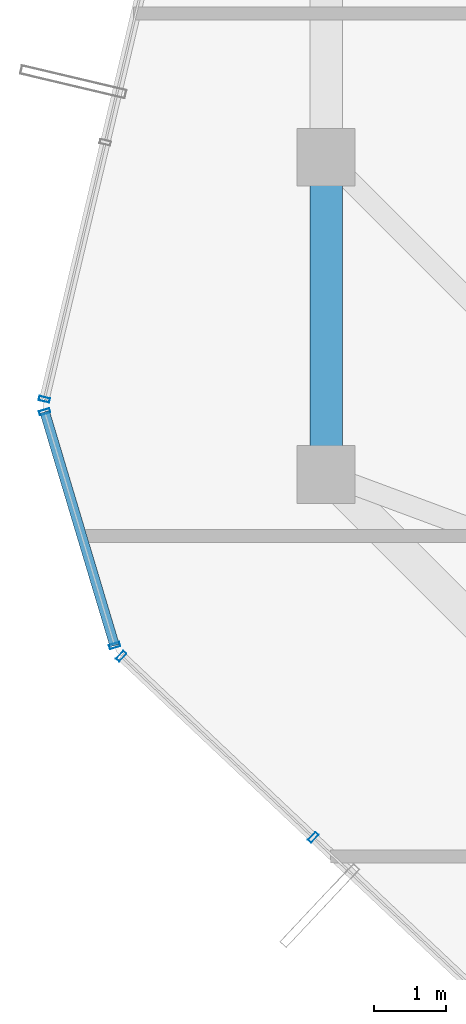
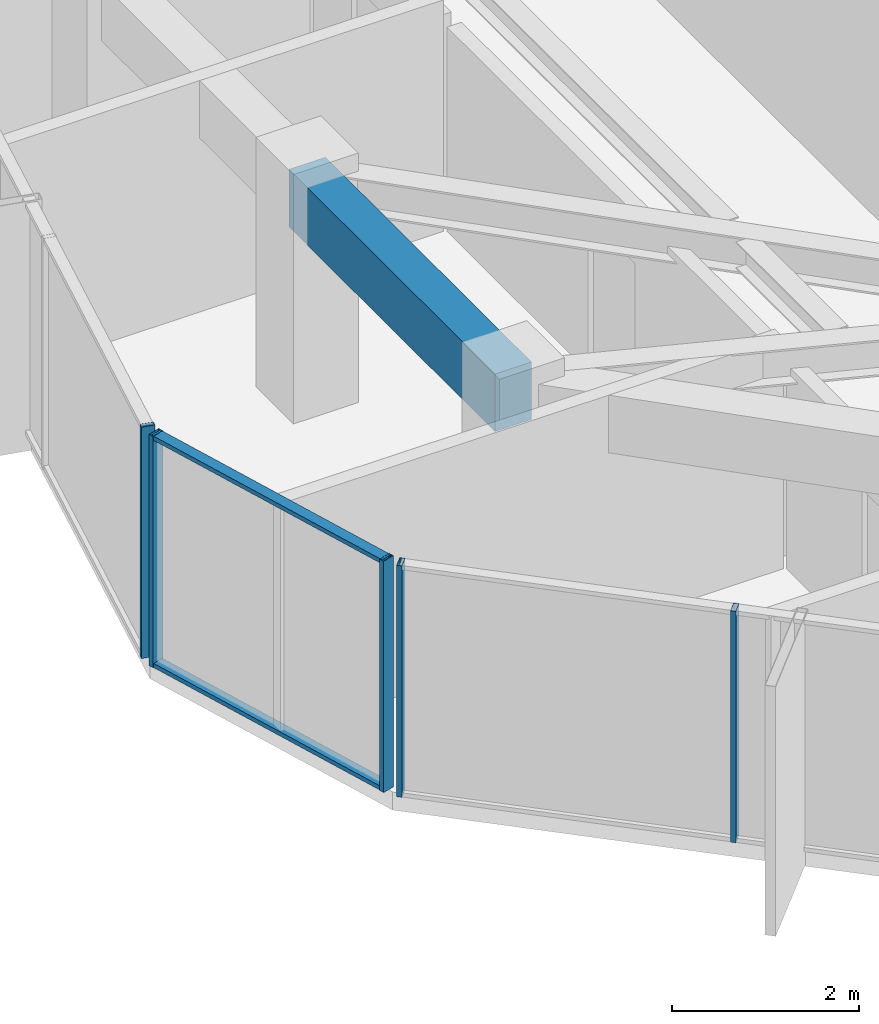
# One storey, part 5 of 28: 7 members, 1 beam, 3 elements without a shape of their own.
"""IFC4 building model written with IfcOpenShell, lengths in metres."""

import ifcopenshell
import ifcopenshell.guid

model = None  # the IFC model being written
_history = None  # IfcOwnerHistory: only IFC2X3 demands one
_inside = {}  # id of a spatial element -> (the spatial element, [elements in it])
_under = {}  # id of a project, library or spatial element -> (it, [spatial elements below it])
_declared = {}  # id of a project -> (the project, [libraries it declares])
_typed = {}  # id of a type object -> (the type object, [elements of that type])
_made_of = {}  # id of a material, layer set ... -> (it, [elements and type objects made of it])


def new_model(schema):
    """Start an empty IFC model of exactly this schema.

    Asked for "IFC4X3", IfcOpenShell would pick the latest addendum, in which some entities
    have other attributes; the version numbers below select the first issue.
    IFC2X3 requires an IfcOwnerHistory on every rooted entity: one is made here for all.
    """
    global model, _history
    if schema == "IFC4X3":
        model = ifcopenshell.file(schema_version=(4, 3, 0, 0))
    else:
        model = ifcopenshell.file(schema=schema)
    _inside.clear()
    _under.clear()
    _declared.clear()
    _typed.clear()
    _made_of.clear()
    _history = None
    if model.schema == "IFC2X3":
        org = make("IfcOrganization", Name="unknown")
        user = make(
            "IfcPersonAndOrganization",
            ThePerson=make("IfcPerson", FamilyName="unknown"),
            TheOrganization=org,
        )
        app = make(
            "IfcApplication",
            ApplicationDeveloper=org,
            Version="unknown",
            ApplicationFullName="unknown",
            ApplicationIdentifier="unknown",
        )
        _history = make(
            "IfcOwnerHistory",
            OwningUser=user,
            OwningApplication=app,
            ChangeAction="ADDED",
            CreationDate=0,
        )
    return model


def make(cls, **values):
    """One entity of the class cls with the attributes given. An attribute that is None is left unset."""
    return model.create_entity(
        cls, **{name: value for name, value in values.items() if value is not None}
    )


def rooted(cls, **values):
    """An entity with a GlobalId (a new one), such as an element, a storey or a relation."""
    return make(cls, GlobalId=ifcopenshell.guid.new(), OwnerHistory=_history, **values)


def si_unit(unit_type, name, prefix=None):
    """IfcSIUnit, for example si_unit("LENGTHUNIT", "METRE", prefix="MILLI")."""
    return make("IfcSIUnit", UnitType=unit_type, Prefix=prefix, Name=name)


def assignment(units):
    """IfcUnitAssignment: the units of a project."""
    return None if units is None else make("IfcUnitAssignment", Units=units)


def point(xyz):
    """IfcCartesianPoint."""
    return None if xyz is None else make("IfcCartesianPoint", Coordinates=xyz)


def direction(xyz):
    """IfcDirection."""
    return None if xyz is None else make("IfcDirection", DirectionRatios=xyz)


def frame(location, z_axis=None, x_axis=None):
    """IfcAxis2Placement3D, a coordinate frame: its origin and axes. An axis left out is left unset."""
    return make(
        "IfcAxis2Placement3D",
        Location=point(location),
        Axis=direction(z_axis),
        RefDirection=direction(x_axis),
    )


def frame_2d(location, x_axis=None):
    """IfcAxis2Placement2D, a coordinate frame in the plane: its origin and x axis."""
    return make(
        "IfcAxis2Placement2D", Location=point(location), RefDirection=direction(x_axis)
    )


def origin():
    """The frame at (0, 0, 0) with its axes left unset."""
    return frame((0.0, 0.0, 0.0))


def origin_2d():
    """The frame at (0, 0) in the plane with its x axis left unset."""
    return frame_2d((0.0, 0.0))


def place(relative_to, where):
    """IfcLocalPlacement: puts the frame where relative to a parent placement (None: the world)."""
    return make(
        "IfcLocalPlacement", PlacementRelTo=relative_to, RelativePlacement=where
    )


def context(
    kind, dimensions, precision=None, world=None, true_north=None, identifier=None
):
    """IfcGeometricRepresentationContext, for example the 3D "Model" context."""
    return make(
        "IfcGeometricRepresentationContext",
        ContextIdentifier=identifier,
        ContextType=kind,
        CoordinateSpaceDimension=dimensions,
        Precision=precision,
        WorldCoordinateSystem=world,
        TrueNorth=true_north,
    )


def subcontext(parent, identifier, kind, view, scale=None):
    """IfcGeometricRepresentationSubContext, for example "Body" below "Model"."""
    return make(
        "IfcGeometricRepresentationSubContext",
        ContextIdentifier=identifier,
        ContextType=kind,
        ParentContext=parent,
        TargetScale=scale,
        TargetView=view,
    )


def project(units=None, contexts=None):
    """IfcProject with its units and contexts."""
    return rooted(
        "IfcProject",
        Name="project",
        RepresentationContexts=contexts,
        UnitsInContext=assignment(units),
    )


def spatial(cls, under=None, at=None, **own):
    """A site, building, storey or space (cls), placed at a placement, below another one or the project."""
    s = rooted(cls, ObjectPlacement=at, **own)
    if under is not None:
        _under.setdefault(under.id(), (under, []))[1].append(s)
    return s


def profile(cls, at=None, kind="AREA", **sizes):
    """A parametric profile (cls). Its sizes go by their IFC names, for example OverallWidth=200.0."""
    return make(cls, ProfileType=kind, Position=at, **sizes)


def rectangle(**sizes):
    """IfcRectangleProfileDef."""
    return profile("IfcRectangleProfileDef", **sizes)


def hollow_rectangle(**sizes):
    """IfcRectangleHollowProfileDef."""
    return profile("IfcRectangleHollowProfileDef", **sizes)


def extrude(swept, where, along, depth):
    """IfcExtrudedAreaSolid: the profile swept, set in the frame where, extruded along a direction by depth."""
    return make(
        "IfcExtrudedAreaSolid",
        SweptArea=swept,
        Position=where,
        ExtrudedDirection=direction(along),
        Depth=depth,
    )


def shape(context_of_items, identifier, shape_type, items):
    """IfcShapeRepresentation: the items that make up one representation, for example the "Body"."""
    return make(
        "IfcShapeRepresentation",
        ContextOfItems=context_of_items,
        RepresentationIdentifier=identifier,
        RepresentationType=shape_type,
        Items=items,
    )


def source(mapping_origin, context_of_items, identifier, shape_type, items):
    """IfcRepresentationMap: a shape defined once, which mapped items show again and again."""
    return make(
        "IfcRepresentationMap",
        MappingOrigin=mapping_origin,
        MappedRepresentation=shape(context_of_items, identifier, shape_type, items),
    )


def transform(
    local_origin,
    x_axis=None,
    y_axis=None,
    z_axis=None,
    scale=None,
    scale2=None,
    scale3=None,
    uniform=True,
):
    """IfcCartesianTransformationOperator3D, or its non-uniform kind. x_axis, y_axis, z_axis: its Axis1, 2, 3."""
    if uniform:
        return make(
            "IfcCartesianTransformationOperator3D",
            Axis1=direction(x_axis),
            Axis2=direction(y_axis),
            LocalOrigin=point(local_origin),
            Scale=scale,
            Axis3=direction(z_axis),
        )
    return make(
        "IfcCartesianTransformationOperator3DnonUniform",
        Axis1=direction(x_axis),
        Axis2=direction(y_axis),
        LocalOrigin=point(local_origin),
        Scale=scale,
        Axis3=direction(z_axis),
        Scale2=scale2,
        Scale3=scale3,
    )


def mapped(mapping_source, mapping_target):
    """IfcMappedItem: shows the shape of a source again, moved by a transform."""
    return make(
        "IfcMappedItem", MappingSource=mapping_source, MappingTarget=mapping_target
    )


def material(Name=None, Category=None):
    """IfcMaterial."""
    return make("IfcMaterial", Name=Name, Category=Category)


def layer(
    of_material, thickness, ventilated=None, Name=None, Category=None, Priority=None
):
    """IfcMaterialLayer: one layer of a wall or slab, of a material (None: an air gap)."""
    return make(
        "IfcMaterialLayer",
        Material=of_material,
        LayerThickness=thickness,
        IsVentilated=ventilated,
        Name=Name,
        Category=Category,
        Priority=Priority,
    )


def layer_set(layers, Name=None):
    """IfcMaterialLayerSet."""
    return make("IfcMaterialLayerSet", MaterialLayers=layers, LayerSetName=Name)


def material_profile(
    of_material, cross_section, Name=None, Category=None, Priority=None
):
    """IfcMaterialProfile: a cross section and its material."""
    return make(
        "IfcMaterialProfile",
        Name=Name,
        Material=of_material,
        Profile=cross_section,
        Priority=Priority,
        Category=Category,
    )


def profile_set(profiles, Name=None, composite=None):
    """IfcMaterialProfileSet."""
    return make(
        "IfcMaterialProfileSet",
        Name=Name,
        MaterialProfiles=profiles,
        CompositeProfile=composite,
    )


def made_of(thing, what):
    """Note that an element or type object is made of a material, layer set ...; save() writes the relation."""
    if what is not None:
        _made_of.setdefault(what.id(), (what, []))[1].append(thing)
    return thing


def type_object(cls, material=None, **own):
    """A type object (cls), such as IfcWallType, which elements share."""
    return made_of(rooted(cls, **own), material)


def element(
    cls,
    number,
    at=None,
    inside=None,
    cuts=None,
    type_object=None,
    material=None,
    context=None,
    identifier="Body",
    shape_type=None,
    held_by="IfcProductDefinitionShape",
    body=None,
    shapes=None,
    **own,
):
    """One element of the class cls, such as IfcWall. Its Tag is "e" and its number.

    at: its placement. inside: the storey or other place that contains it. cuts: it is an
    opening in that element (IfcRelVoidsElement). A single representation is given by context,
    identifier, shape_type and body (its items); several are given by shapes. held_by: the class
    of the entity that holds the representations. save() writes the other relations.
    """
    e = rooted(cls, Tag="e%d" % number, ObjectPlacement=at, **own)
    if body is not None:
        shapes = [shape(context, identifier, shape_type, body)]
    if shapes is not None:
        e.Representation = make(held_by, Representations=shapes)
    if inside is not None:
        _inside.setdefault(inside.id(), (inside, []))[1].append(e)
    if cuts is not None:
        rooted(
            "IfcRelVoidsElement", RelatingBuildingElement=cuts, RelatedOpeningElement=e
        )
    if type_object is not None:
        _typed.setdefault(type_object.id(), (type_object, []))[1].append(e)
    return made_of(e, material)


def aggregate(whole, parts):
    """IfcRelAggregates: a whole, such as a stair, and the parts it consists of."""
    return rooted("IfcRelAggregates", RelatingObject=whole, RelatedObjects=parts)


def save(model, path):
    """Write the relations noted so far, then the file.

    IfcRelAggregates (storeys below a building ...), IfcRelContainedInSpatialStructure (elements
    in a storey), IfcRelDefinesByType, IfcRelAssociatesMaterial and IfcRelDeclares: one each for
    every whole, place, type object, material and project.
    """
    for whole, parts in _under.values():
        aggregate(whole, parts)
    for where, things in _inside.values():
        rooted(
            "IfcRelContainedInSpatialStructure",
            RelatedElements=things,
            RelatingStructure=where,
        )
    for kind, things in _typed.values():
        rooted("IfcRelDefinesByType", RelatedObjects=things, RelatingType=kind)
    for what, things in _made_of.values():
        rooted("IfcRelAssociatesMaterial", RelatedObjects=things, RelatingMaterial=what)
    for by, libraries in _declared.values():
        rooted("IfcRelDeclares", RelatingContext=by, RelatedDefinitions=libraries)
    model.write(path)


model = new_model("IFC4")

# Units and contexts
model_context = context("Model", 3, precision=1e-05, world=origin(), true_north=direction((0.0, 1.0)))
body_context = subcontext(model_context, "Body", "Model", "MODEL_VIEW")
ifc_project = project(units=[si_unit("LENGTHUNIT", "METRE"), si_unit("AREAUNIT", "SQUARE_METRE"), si_unit("VOLUMEUNIT", "CUBIC_METRE"), si_unit("PLANEANGLEUNIT", "RADIAN"), si_unit("MASSUNIT", "GRAM", prefix="KILO")], contexts=[model_context])

# Site, building, storey
site_placement = place(None, origin())
site = spatial("IfcSite", under=ifc_project, at=site_placement, CompositionType="ELEMENT")
building_placement = place(site_placement, origin())
building = spatial("IfcBuilding", under=site, at=building_placement, Name="Veraguas Prism Commons", CompositionType="ELEMENT")
storey_placement = place(building_placement, frame((0.0, 0.0, 254.5)))
storey = spatial("IfcBuildingStorey", under=building, at=storey_placement, Name="L72", CompositionType="ELEMENT", Elevation=254.5)

# Beam
ifc_material_1 = material(Name="Concrete C50/60", Category="concrete")
ifc_material_profile_1 = material_profile(ifc_material_1, rectangle(XDim=0.449951171875, YDim=0.75, at=origin_2d()), Name="RC450X750")
ifc_profile_set_1 = profile_set([ifc_material_profile_1], Name="Concrete C50/60")
beam_type = type_object("IfcBeamType", Name="Perimeter Spandrel Upper RC 450x750", PredefinedType="SPANDREL", material=ifc_profile_set_1)
beam_placement = place(storey_placement, frame((10.199951171875, 24.0, 2.639892578125), z_axis=(0.0, -1.0, 0.0), x_axis=(1.0, 0.0, 0.0)))
element("IfcBeam", 1, at=beam_placement, inside=storey, type_object=beam_type, Name="Perimeter Spandrel Beam L72-SP08", PredefinedType="SPANDREL", context=body_context, shape_type="SweptSolid", body=[
    extrude(rectangle(XDim=0.449951171875, YDim=0.75, at=origin_2d()), origin(), (0.0, 0.0, 1.0), 4.39990234375),
])

# Curtain wall, member
ifc_material_2 = material(Name="Anodised aluminium EN AW-6063 T6", Category="aluminium")
ifc_layer = layer(ifc_material_2, 0.14990234375, Name="Unitised Flush Curtain Wall Zone 4", Category="aluminium")
ifc_layer_set = layer_set([ifc_layer], Name="Anodised aluminium EN AW-6063 T6")
curtain_wall_type = type_object("IfcCurtainWallType", Name="Unitised Flush Curtain Wall Zone 4", PredefinedType="NOTDEFINED", material=ifc_layer_set)
curtain_wall_1_placement = place(storey_placement, origin())
curtain_wall_1 = element("IfcCurtainWall", 2, at=curtain_wall_1_placement, inside=storey, type_object=curtain_wall_type, Name="Tower Facade Curtain Wall L72-F3", PredefinedType="NOTDEFINED")
ifc_material_profile_2 = material_profile(ifc_material_2, hollow_rectangle(XDim=0.06005859375, YDim=0.14990234375, WallThickness=0.0029296875, at=origin_2d()), Name="AL60X150X3")
ifc_profile_set_2 = profile_set([ifc_material_profile_2], Name="Anodised aluminium EN AW-6063 T6")
member_type_1 = type_object("IfcMemberType", Name="Curtain Wall Mullion Upper AL 60x150x3", PredefinedType="MULLION", material=ifc_profile_set_2)
shared_shape_1 = source(origin(), body_context, "Body", "SweptSolid", [
    extrude(hollow_rectangle(XDim=0.06005859375, YDim=0.14990234375, WallThickness=0.0029296875, at=origin_2d()), origin(), (0.0, 0.0, 1.0), 3.014892578125),
])
member_1_placement = place(storey_placement, frame((6.292724609375, 20.641845703125, 0.0), z_axis=(0.0, 0.0, 1.0), x_axis=(-0.230740975733, -0.973015211658, 0.0)))
member_1 = element("IfcMember", 3, at=member_1_placement, type_object=member_type_1, Name="CW-Z4 Mullion 5", PredefinedType="MULLION", context=body_context, shape_type="MappedRepresentation", body=[
    mapped(shared_shape_1, transform((0.0, 0.0, 0.0), scale=1.0)),
])
aggregate(curtain_wall_1, [member_1])

# Curtain wall, members
curtain_wall_2_placement = place(storey_placement, origin())
curtain_wall_2 = element("IfcCurtainWall", 4, at=curtain_wall_2_placement, inside=storey, type_object=curtain_wall_type, Name="Tower Facade Curtain Wall L72-F4", PredefinedType="NOTDEFINED")
member_2_placement = place(storey_placement, frame((7.35888671875, 17.079345703125, 0.0), z_axis=(0.0, 0.0, 1.0), x_axis=(0.727296184535, -0.686323728251, 0.0)))
member_2 = element("IfcMember", 5, at=member_2_placement, type_object=member_type_1, Name="CW-Z4 Mullion 1", PredefinedType="MULLION", context=body_context, shape_type="MappedRepresentation", body=[
    mapped(shared_shape_1, transform((0.0, 0.0, 0.0), scale=1.0)),
])
member_3_placement = place(storey_placement, frame((10.02197265625, 14.56640625, 0.0), z_axis=(0.0, 0.0, 1.0), x_axis=(0.727296184535, -0.686323728251, 0.0)))
member_3 = element("IfcMember", 6, at=member_3_placement, type_object=member_type_1, Name="CW-Z4 Mullion 2", PredefinedType="MULLION", context=body_context, shape_type="MappedRepresentation", body=[
    mapped(shared_shape_1, transform((0.0, 0.0, 0.0), scale=1.0)),
])
aggregate(curtain_wall_2, [member_2, member_3])

curtain_wall_3_placement = place(storey_placement, origin())
curtain_wall_3 = element("IfcCurtainWall", 7, at=curtain_wall_3_placement, inside=storey, type_object=curtain_wall_type, Name="Chamfer Curtain Wall L72-C4", PredefinedType="NOTDEFINED")
member_4_placement = place(storey_placement, frame((6.2978515625, 20.468017578125, 0.0), z_axis=(0.0, 0.0, 1.0), x_axis=(0.286708484238, -0.958017873041, 0.0)))
member_4 = element("IfcMember", 8, at=member_4_placement, type_object=member_type_1, Name="CW-Z4 Mullion 1", PredefinedType="MULLION", context=body_context, shape_type="MappedRepresentation", body=[
    mapped(shared_shape_1, transform((0.0, 0.0, 0.0), scale=1.0)),
])
member_5_placement = place(storey_placement, frame((7.267578125, 17.2275390625, 0.0), z_axis=(0.0, 0.0, 1.0), x_axis=(0.286708484238, -0.958017873041, 0.0)))
member_5 = element("IfcMember", 9, at=member_5_placement, type_object=member_type_1, Name="CW-Z4 Mullion 2", PredefinedType="MULLION", context=body_context, shape_type="MappedRepresentation", body=[
    mapped(shared_shape_1, transform((0.0, 0.0, 0.0), scale=1.0)),
])
ifc_material_profile_3 = material_profile(ifc_material_2, hollow_rectangle(XDim=0.054931640625, YDim=0.135009765625, WallThickness=0.0029296875, at=origin_2d()), Name="AL55X135X3")
ifc_profile_set_3 = profile_set([ifc_material_profile_3], Name="Anodised aluminium EN AW-6063 T6")
member_type_2 = type_object("IfcMemberType", Name="Curtain Wall Transom Standard AL 55x135x3", PredefinedType="USERDEFINED", material=ifc_profile_set_3)
shared_shape_2 = source(origin(), body_context, "Body", "SweptSolid", [
    extrude(hollow_rectangle(XDim=0.054931640625, YDim=0.135009765625, WallThickness=0.0029296875, at=origin_2d()), origin(), (0.0, 0.0, 1.0), 3.382568359375),
])
member_6_placement = place(storey_placement, frame((6.2978515625, 20.468017578125, 0.027587890625), z_axis=(0.286692253781, -0.958022730222, 0.0), x_axis=(0.0, 0.0, 1.0)))
member_6 = element("IfcMember", 10, at=member_6_placement, type_object=member_type_2, Name="CW-Z4 Transom 1", ObjectType="TRANSOM", PredefinedType="USERDEFINED", context=body_context, shape_type="MappedRepresentation", body=[
    mapped(shared_shape_2, transform((0.0, 0.0, 0.0), scale=1.0)),
])
member_7_placement = place(storey_placement, frame((6.2978515625, 20.468017578125, 2.987548828125), z_axis=(0.286692253781, -0.958022730222, 0.0), x_axis=(0.0, 0.0, 1.0)))
member_7 = element("IfcMember", 11, at=member_7_placement, type_object=member_type_2, Name="CW-Z4 Transom 2", ObjectType="TRANSOM", PredefinedType="USERDEFINED", context=body_context, shape_type="MappedRepresentation", body=[
    mapped(shared_shape_2, transform((0.0, 0.0, 0.0), scale=1.0)),
])
aggregate(curtain_wall_3, [member_4, member_5, member_6, member_7])

save(model, "model.ifc")
